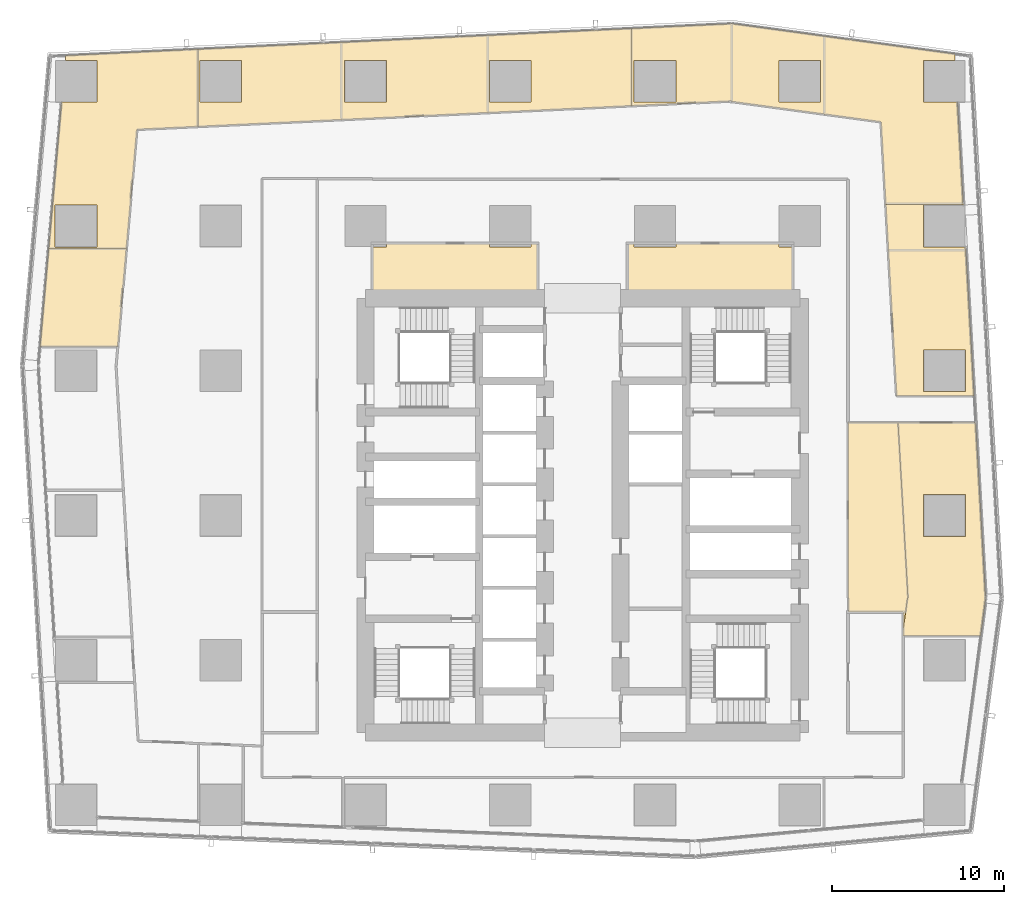
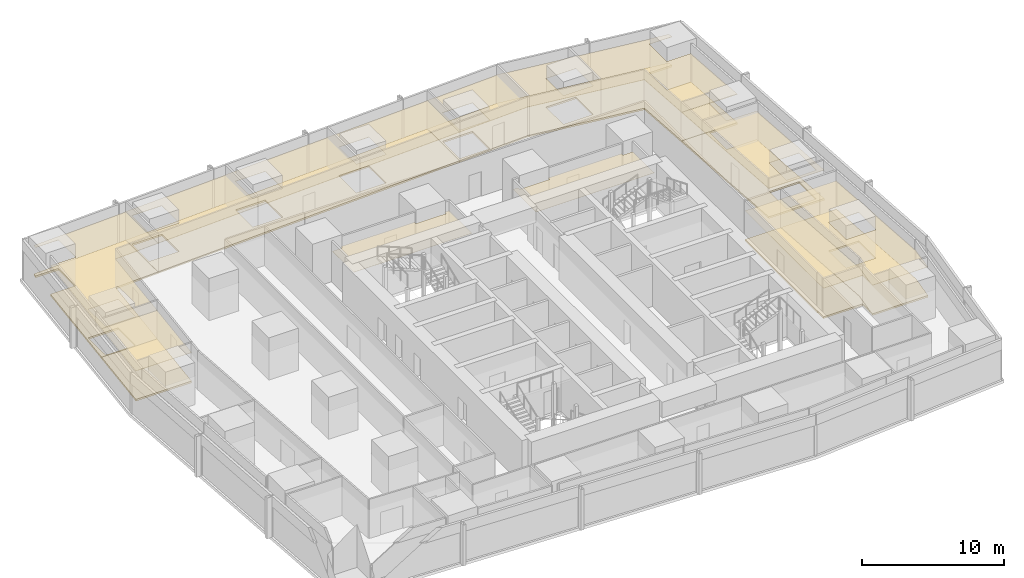
# One storey, part 37 of 37: 16 coverings.
"""IFC4 building model written with IfcOpenShell, lengths in metres."""

from ifc_helpers import new_model, si_unit, direction, frame, origin, place, context, subcontext, project, spatial, polyline, outline, extrude, material, layer, layer_set, type_object, element, save


model = new_model("IFC4")

# Units and contexts
model_context = context("Model", 3, precision=1e-05, world=origin(), true_north=direction((0.0, 1.0)))
body_context = subcontext(model_context, "Body", "Model", "MODEL_VIEW")
ifc_project = project(units=[si_unit("LENGTHUNIT", "METRE"), si_unit("AREAUNIT", "SQUARE_METRE"), si_unit("VOLUMEUNIT", "CUBIC_METRE"), si_unit("PLANEANGLEUNIT", "RADIAN"), si_unit("MASSUNIT", "GRAM", prefix="KILO")], contexts=[model_context])

# Site, building, storey
site_placement = place(None, origin())
site = spatial("IfcSite", under=ifc_project, at=site_placement, CompositionType="ELEMENT")
building_placement = place(site_placement, origin())
building = spatial("IfcBuilding", under=site, at=building_placement, Name="Rekha Terrace Tower", CompositionType="ELEMENT")
storey_placement = place(building_placement, frame((0.0, 0.0, 232.699951171875)))
storey = spatial("IfcBuildingStorey", under=building, at=storey_placement, Name="L59", CompositionType="ELEMENT", Elevation=232.699951171875)

# Coverings
ifc_material_1 = material(Name="Mineral fibre tile in exposed grid", Category="finish")
ifc_layer_1 = layer(ifc_material_1, 0.02001953125)
ifc_layer_set_1 = layer_set([ifc_layer_1], Name="Mineral fibre tile in exposed grid")
covering_type_1 = type_object("IfcCoveringType", Name="CL1 600x1200 office grid ceiling", PredefinedType="CEILING", material=ifc_layer_set_1)
covering_1_placement = place(storey_placement, frame((0.0, 0.0, 2.580078125)))
element("IfcCovering", 1, at=covering_1_placement, inside=storey, type_object=covering_type_1, Name="Ceiling L59-05", PredefinedType="CEILING", context=body_context, shape_type="SweptSolid", body=[
    extrude(outline(polyline([(59.889892578125, 51.614990234375), (59.887939453125, 51.656982421875), (55.3798828125, 51.656982421875), (55.531005859375, 48.99609375), (56.011962890625, 40.531005859375), (60.51904296875, 40.531005859375), (60.0390625, 48.9990234375), (60.028076171875, 49.18505859375), (57.5849609375, 49.18505859375), (57.5849609375, 51.614990234375), (59.889892578125, 51.614990234375)]), holes=[polyline([(60.014892578125, 40.784912109375), (57.5849609375, 40.784912109375), (57.5849609375, 43.215087890625), (60.014892578125, 43.215087890625), (60.014892578125, 40.784912109375)])]), origin(), (0.0, 0.0, 1.0), 0.02001953125),
])
covering_2_placement = place(storey_placement, frame((0.0, 0.0, 2.580078125)))
element("IfcCovering", 2, at=covering_2_placement, inside=storey, type_object=covering_type_1, Name="Ceiling L59-06", PredefinedType="CEILING", context=body_context, shape_type="SweptSolid", body=[
    extrude(outline(polyline([(40.6279296875, 61.868896484375), (40.6279296875, 57.364013671875), (46.445068359375, 57.64208984375), (46.445068359375, 57.612060546875), (51.830078125, 56.87890625), (55.10888671875, 56.43310546875), (55.3798828125, 51.657958984375), (59.887939453125, 51.657958984375), (59.551025390625, 57.5849609375), (57.5849609375, 57.5849609375), (57.5849609375, 60.014892578125), (59.4130859375, 60.014892578125), (59.39208984375, 60.39208984375), (51.825927734375, 61.4208984375), (46.445068359375, 62.154052734375), (46.445068359375, 62.14697265625), (40.6279296875, 61.868896484375)]), holes=[polyline([(51.614990234375, 57.5849609375), (49.18505859375, 57.5849609375), (49.18505859375, 60.014892578125), (51.614990234375, 60.014892578125), (51.614990234375, 57.5849609375)]), polyline([(43.215087890625, 60.014892578125), (43.215087890625, 57.5849609375), (40.784912109375, 57.5849609375), (40.784912109375, 60.014892578125), (43.215087890625, 60.014892578125)])]), origin(), (0.0, 0.0, 1.0), 0.02001953125),
])
covering_3_placement = place(storey_placement, frame((0.0, 0.0, 2.580078125)))
element("IfcCovering", 3, at=covering_3_placement, inside=storey, type_object=covering_type_1, Name="Ceiling L59-07", PredefinedType="CEILING", context=body_context, shape_type="SweptSolid", body=[
    extrude(outline(polyline([(32.299072265625, 61.470947265625), (23.794921875, 61.06494140625), (15.467041015625, 60.666015625), (15.467041015625, 56.160888671875), (23.7919921875, 56.55908203125), (32.302001953125, 56.966064453125), (40.626953125, 57.364013671875), (40.626953125, 61.868896484375), (32.299072265625, 61.470947265625)]), holes=[polyline([(34.81494140625, 57.5849609375), (32.385009765625, 57.5849609375), (32.385009765625, 60.014892578125), (34.81494140625, 60.014892578125), (34.81494140625, 57.5849609375)]), polyline([(26.4150390625, 57.5849609375), (23.985107421875, 57.5849609375), (23.985107421875, 60.014892578125), (26.4150390625, 60.014892578125), (26.4150390625, 57.5849609375)]), polyline([(18.014892578125, 60.014892578125), (18.014892578125, 57.5849609375), (15.5849609375, 57.5849609375), (15.5849609375, 60.014892578125), (18.014892578125, 60.014892578125)])]), origin(), (0.0, 0.0, 1.0), 0.02001953125),
])
covering_4_placement = place(storey_placement, frame((0.0, 0.0, 2.580078125)))
element("IfcCovering", 4, at=covering_4_placement, inside=storey, type_object=covering_type_1, Name="Ceiling L59-08", PredefinedType="CEILING", context=body_context, shape_type="SweptSolid", body=[
    extrude(outline(polyline([(7.56103515625, 57.5849609375), (6.81005859375, 49.0810546875), (11.327880859375, 49.0810546875), (11.93798828125, 55.992919921875), (15.466064453125, 56.160888671875), (15.466064453125, 60.666015625), (7.801025390625, 60.300048828125), (7.77587890625, 60.014892578125), (9.614990234375, 60.014892578125), (9.614990234375, 57.5849609375), (7.56103515625, 57.5849609375)]), holes=[polyline([(9.614990234375, 49.18505859375), (7.18505859375, 49.18505859375), (7.18505859375, 51.614990234375), (9.614990234375, 51.614990234375), (9.614990234375, 49.18505859375)])]), origin(), (0.0, 0.0, 1.0), 0.02001953125),
])
covering_5_placement = place(storey_placement, frame((0.0, 0.0, 2.580078125)))
element("IfcCovering", 5, at=covering_5_placement, inside=storey, type_object=covering_type_1, Name="Ceiling L59-09", PredefinedType="CEILING", context=body_context, shape_type="SweptSolid", body=[
    extrude(outline(polyline([(11.327880859375, 49.080078125), (6.81005859375, 49.080078125), (6.30810546875, 43.39208984375), (10.825927734375, 43.39208984375), (11.327880859375, 49.080078125)])), origin(), (0.0, 0.0, 1.0), 0.02001953125),
])
covering_6_placement = place(storey_placement, frame((0.0, 0.0, 2.580078125)))
element("IfcCovering", 6, at=covering_6_placement, inside=storey, type_object=covering_type_1, Name="Ceiling L59-16", PredefinedType="CEILING", context=body_context, shape_type="SweptSolid", body=[
    extrude(outline(polyline([(56.10009765625, 38.98095703125), (56.677001953125, 28.81201171875), (56.65087890625, 28.81201171875), (56.39990234375, 26.91796875), (56.39990234375, 26.60009765625), (60.89697265625, 26.60009765625), (61.18994140625, 28.81201171875), (61.18408203125, 28.81201171875), (60.60693359375, 38.98095703125), (56.10009765625, 38.98095703125)]), holes=[polyline([(60.014892578125, 34.81494140625), (60.014892578125, 32.385009765625), (57.5849609375, 32.385009765625), (57.5849609375, 34.81494140625), (60.014892578125, 34.81494140625)])]), origin(), (0.0, 0.0, 1.0), 0.02001953125),
])
covering_7_placement = place(storey_placement, frame((0.0, 0.0, 2.580078125)))
element("IfcCovering", 7, at=covering_7_placement, inside=storey, type_object=covering_type_1, Name="Ceiling L59-17", PredefinedType="CEILING", context=body_context, shape_type="SweptSolid", body=[
    extrude(outline(polyline([(56.65087890625, 28.81201171875), (56.677001953125, 28.81201171875), (56.10009765625, 38.98095703125), (53.199951171875, 38.98095703125), (53.199951171875, 28.81201171875), (53.22509765625, 28.81201171875), (53.22509765625, 28.0), (56.39990234375, 28.0), (56.39990234375, 27.071044921875), (56.419921875, 27.070068359375), (56.65087890625, 28.81201171875)])), origin(), (0.0, 0.0, 1.0), 0.02001953125),
])
ifc_material_2 = material(Name="Fibre cement board", Category="finish")
ifc_layer_2 = layer(ifc_material_2, 0.014892578125)
ifc_layer_set_2 = layer_set([ifc_layer_2], Name="Fibre cement board")
covering_type_2 = type_object("IfcCoveringType", Name="CL2 moisture-resistant board ceiling", PredefinedType="CEILING", material=ifc_layer_set_2)
covering_8_placement = place(storey_placement, frame((0.0, 0.0, 2.5849609375)))
element("IfcCovering", 8, at=covering_8_placement, inside=storey, type_object=covering_type_2, Name="Ceiling L59-WCF", PredefinedType="CEILING", context=body_context, shape_type="SweptSolid", body=[
    extrude(outline(polyline([(40.784912109375, 49.39990234375), (40.39990234375, 49.39990234375), (40.39990234375, 46.199951171875), (50.0, 46.199951171875), (50.0, 49.18505859375), (49.18505859375, 49.18505859375), (49.18505859375, 49.39990234375), (43.215087890625, 49.39990234375), (43.215087890625, 49.18505859375), (40.784912109375, 49.18505859375), (40.784912109375, 49.39990234375)])), origin(), (0.0, 0.0, 1.0), 0.01513671875),
])
covering_9_placement = place(storey_placement, frame((0.0, 0.0, 2.5849609375)))
element("IfcCovering", 9, at=covering_9_placement, inside=storey, type_object=covering_type_2, Name="Ceiling L59-WCF2", PredefinedType="CEILING", context=body_context, shape_type="SweptSolid", body=[
    extrude(outline(polyline([(26.4150390625, 49.18505859375), (25.60009765625, 49.18505859375), (25.60009765625, 46.199951171875), (35.199951171875, 46.199951171875), (35.199951171875, 49.39990234375), (34.81494140625, 49.39990234375), (34.81494140625, 49.18505859375), (32.385009765625, 49.18505859375), (32.385009765625, 49.39990234375), (26.4150390625, 49.39990234375), (26.4150390625, 49.18505859375)])), origin(), (0.0, 0.0, 1.0), 0.01513671875),
])
ifc_material_3 = material(Name="Calcium sulphate panels on steel pedestals", Category="steel")
ifc_layer_3 = layer(ifc_material_3, 0.14990234375)
ifc_layer_set_3 = layer_set([ifc_layer_3], Name="Calcium sulphate panels on steel pedestals")
covering_type_3 = type_object("IfcCoveringType", Name="RF1 150 raised access floor", PredefinedType="FLOORING", material=ifc_layer_set_3)
covering_10_placement = place(storey_placement, origin())
element("IfcCovering", 10, at=covering_10_placement, inside=storey, type_object=covering_type_3, Name="Raised floor L59-05", PredefinedType="FLOORING", context=body_context, shape_type="SweptSolid", body=[
    extrude(outline(polyline([(59.889892578125, 51.614990234375), (59.887939453125, 51.656982421875), (55.3798828125, 51.656982421875), (55.531005859375, 48.99609375), (56.011962890625, 40.531005859375), (60.51904296875, 40.531005859375), (60.0390625, 48.9990234375), (60.028076171875, 49.18505859375), (57.5849609375, 49.18505859375), (57.5849609375, 51.614990234375), (59.889892578125, 51.614990234375)]), holes=[polyline([(60.014892578125, 40.784912109375), (57.5849609375, 40.784912109375), (57.5849609375, 43.215087890625), (60.014892578125, 43.215087890625), (60.014892578125, 40.784912109375)])]), origin(), (0.0, 0.0, 1.0), 0.150146484375),
])
covering_11_placement = place(storey_placement, origin())
element("IfcCovering", 11, at=covering_11_placement, inside=storey, type_object=covering_type_3, Name="Raised floor L59-06", PredefinedType="FLOORING", context=body_context, shape_type="SweptSolid", body=[
    extrude(outline(polyline([(40.6279296875, 61.868896484375), (40.6279296875, 57.364013671875), (46.445068359375, 57.64208984375), (46.445068359375, 57.612060546875), (51.830078125, 56.87890625), (55.10888671875, 56.43310546875), (55.3798828125, 51.657958984375), (59.887939453125, 51.657958984375), (59.551025390625, 57.5849609375), (57.5849609375, 57.5849609375), (57.5849609375, 60.014892578125), (59.4130859375, 60.014892578125), (59.39208984375, 60.39208984375), (51.825927734375, 61.4208984375), (46.445068359375, 62.154052734375), (46.445068359375, 62.14697265625), (40.6279296875, 61.868896484375)]), holes=[polyline([(51.614990234375, 57.5849609375), (49.18505859375, 57.5849609375), (49.18505859375, 60.014892578125), (51.614990234375, 60.014892578125), (51.614990234375, 57.5849609375)]), polyline([(43.215087890625, 60.014892578125), (43.215087890625, 57.5849609375), (40.784912109375, 57.5849609375), (40.784912109375, 60.014892578125), (43.215087890625, 60.014892578125)])]), origin(), (0.0, 0.0, 1.0), 0.150146484375),
])
covering_12_placement = place(storey_placement, origin())
element("IfcCovering", 12, at=covering_12_placement, inside=storey, type_object=covering_type_3, Name="Raised floor L59-07", PredefinedType="FLOORING", context=body_context, shape_type="SweptSolid", body=[
    extrude(outline(polyline([(32.299072265625, 61.470947265625), (23.794921875, 61.06494140625), (15.467041015625, 60.666015625), (15.467041015625, 56.160888671875), (23.7919921875, 56.55908203125), (32.302001953125, 56.966064453125), (40.626953125, 57.364013671875), (40.626953125, 61.868896484375), (32.299072265625, 61.470947265625)]), holes=[polyline([(34.81494140625, 57.5849609375), (32.385009765625, 57.5849609375), (32.385009765625, 60.014892578125), (34.81494140625, 60.014892578125), (34.81494140625, 57.5849609375)]), polyline([(26.4150390625, 57.5849609375), (23.985107421875, 57.5849609375), (23.985107421875, 60.014892578125), (26.4150390625, 60.014892578125), (26.4150390625, 57.5849609375)]), polyline([(18.014892578125, 60.014892578125), (18.014892578125, 57.5849609375), (15.5849609375, 57.5849609375), (15.5849609375, 60.014892578125), (18.014892578125, 60.014892578125)])]), origin(), (0.0, 0.0, 1.0), 0.150146484375),
])
covering_13_placement = place(storey_placement, origin())
element("IfcCovering", 13, at=covering_13_placement, inside=storey, type_object=covering_type_3, Name="Raised floor L59-08", PredefinedType="FLOORING", context=body_context, shape_type="SweptSolid", body=[
    extrude(outline(polyline([(7.56103515625, 57.5849609375), (6.81005859375, 49.0810546875), (11.327880859375, 49.0810546875), (11.93798828125, 55.992919921875), (15.466064453125, 56.160888671875), (15.466064453125, 60.666015625), (7.801025390625, 60.300048828125), (7.77587890625, 60.014892578125), (9.614990234375, 60.014892578125), (9.614990234375, 57.5849609375), (7.56103515625, 57.5849609375)]), holes=[polyline([(9.614990234375, 49.18505859375), (7.18505859375, 49.18505859375), (7.18505859375, 51.614990234375), (9.614990234375, 51.614990234375), (9.614990234375, 49.18505859375)])]), origin(), (0.0, 0.0, 1.0), 0.150146484375),
])
covering_14_placement = place(storey_placement, origin())
element("IfcCovering", 14, at=covering_14_placement, inside=storey, type_object=covering_type_3, Name="Raised floor L59-09", PredefinedType="FLOORING", context=body_context, shape_type="SweptSolid", body=[
    extrude(outline(polyline([(11.327880859375, 49.080078125), (6.81005859375, 49.080078125), (6.30810546875, 43.39208984375), (10.825927734375, 43.39208984375), (11.327880859375, 49.080078125)])), origin(), (0.0, 0.0, 1.0), 0.150146484375),
])
covering_15_placement = place(storey_placement, origin())
element("IfcCovering", 15, at=covering_15_placement, inside=storey, type_object=covering_type_3, Name="Raised floor L59-16", PredefinedType="FLOORING", context=body_context, shape_type="SweptSolid", body=[
    extrude(outline(polyline([(56.10009765625, 38.98095703125), (56.677001953125, 28.81201171875), (56.65087890625, 28.81201171875), (56.39990234375, 26.91796875), (56.39990234375, 26.60009765625), (60.89697265625, 26.60009765625), (61.18994140625, 28.81201171875), (61.18408203125, 28.81201171875), (60.60693359375, 38.98095703125), (56.10009765625, 38.98095703125)]), holes=[polyline([(60.014892578125, 34.81494140625), (60.014892578125, 32.385009765625), (57.5849609375, 32.385009765625), (57.5849609375, 34.81494140625), (60.014892578125, 34.81494140625)])]), origin(), (0.0, 0.0, 1.0), 0.150146484375),
])
covering_16_placement = place(storey_placement, origin())
element("IfcCovering", 16, at=covering_16_placement, inside=storey, type_object=covering_type_3, Name="Raised floor L59-17", PredefinedType="FLOORING", context=body_context, shape_type="SweptSolid", body=[
    extrude(outline(polyline([(56.65087890625, 28.81201171875), (56.677001953125, 28.81201171875), (56.10009765625, 38.98095703125), (53.199951171875, 38.98095703125), (53.199951171875, 28.81201171875), (53.22509765625, 28.81201171875), (53.22509765625, 28.0), (56.39990234375, 28.0), (56.39990234375, 27.071044921875), (56.419921875, 27.070068359375), (56.65087890625, 28.81201171875)])), origin(), (0.0, 0.0, 1.0), 0.150146484375),
])

save(model, "model.ifc")
